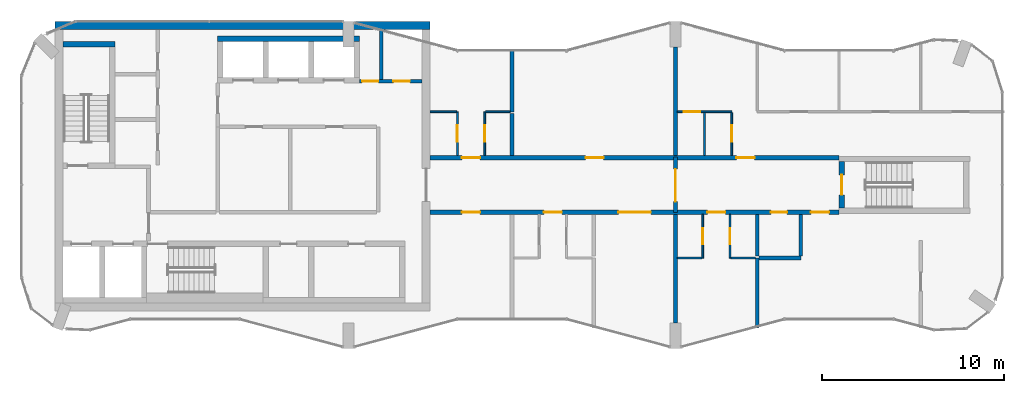
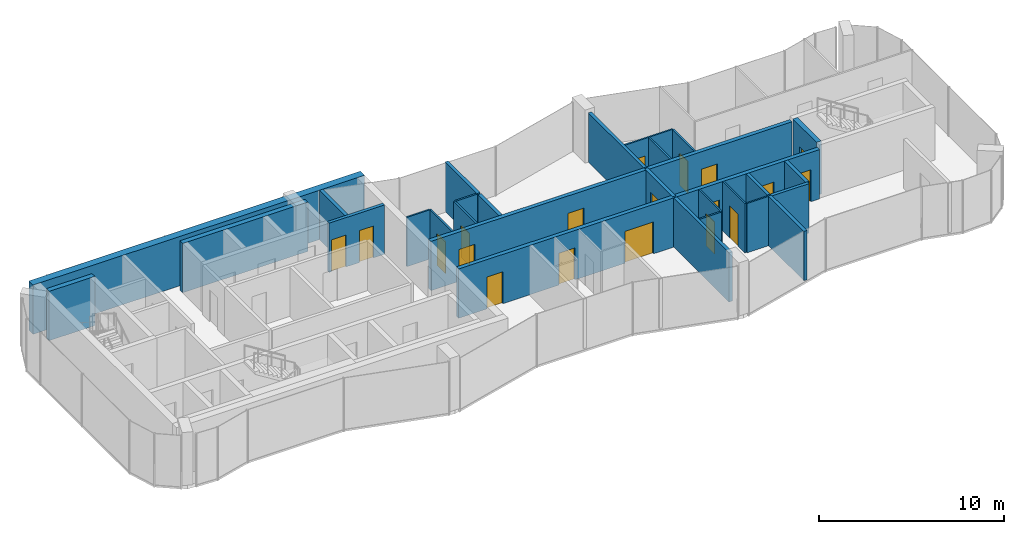
# One storey, part 8 of 10: 28 walls, 19 doors, 19 openings.
"""IFC4 building model written with IfcOpenShell, lengths in metres."""

from ifc_helpers import new_model, si_unit, direction, frame, frame_2d, origin, place, context, subcontext, project, spatial, rectangle, extrude, material, layer, layer_set, type_object, element, fill, save


model = new_model("IFC4")

# Units and contexts
model_context = context("Model", 3, precision=1e-05, world=origin(), true_north=direction((0.0, 1.0)))
body_context = subcontext(model_context, "Body", "Model", "MODEL_VIEW")
ifc_project = project(units=[si_unit("LENGTHUNIT", "METRE"), si_unit("AREAUNIT", "SQUARE_METRE"), si_unit("VOLUMEUNIT", "CUBIC_METRE"), si_unit("PLANEANGLEUNIT", "RADIAN"), si_unit("MASSUNIT", "GRAM", prefix="KILO")], contexts=[model_context])

# Site, building, storey
site_placement = place(None, origin())
site = spatial("IfcSite", under=ifc_project, at=site_placement, CompositionType="ELEMENT")
building_placement = place(site_placement, origin())
building = spatial("IfcBuilding", under=site, at=building_placement, Name="Plateau Cross Towers", CompositionType="ELEMENT")
storey_placement = place(building_placement, frame((0.0, 0.0, 263.39990234375)))
storey = spatial("IfcBuildingStorey", under=building, at=storey_placement, Name="L69", CompositionType="ELEMENT", Elevation=263.39990234375)

# Wall, openings, doors
ifc_material_1 = material(Name="Concrete block, plastered both sides", Category="concrete")
ifc_layer_1 = layer(ifc_material_1, 0.199951171875)
ifc_layer_set_1 = layer_set([ifc_layer_1], Name="Concrete block, plastered both sides")
wall_type_1 = type_object("IfcWallType", Name="Core partition 200", PredefinedType="PARTITIONING", material=ifc_layer_set_1)
wall_1_placement = place(storey_placement, frame((18.60009765625, 14.699951171875, 0.0), z_axis=(0.0, 0.0, 1.0), x_axis=(1.0, 0.0, 0.0)))
wall_1 = element("IfcWall", 1, at=wall_1_placement, inside=storey, type_object=wall_type_1, Name="Core partition", PredefinedType="PARTITIONING", context=body_context, shape_type="SweptSolid", body=[
    extrude(rectangle(XDim=3.449951171875, YDim=0.199951171875, at=frame_2d((1.72509765625, 0.0))), origin(), (0.0, 0.0, 1.0), 3.25),
])
opening_1_placement = place(wall_1_placement, frame((0.14990234375, 0.0, 0.0)))
opening_1 = element("IfcOpeningElement", 2, at=opening_1_placement, cuts=wall_1, Name="Opening RD2", PredefinedType="OPENING", context=body_context, shape_type="SweptSolid", body=[
    extrude(rectangle(XDim=0.89990234375, YDim=2.10009765625, at=frame_2d((0.449951171875, 1.050048828125))), frame((0.0, 0.10986328125, 0.0), z_axis=(0.0, -1.0, 0.0), x_axis=(1.0, 0.0, 0.0)), (0.0, 0.0, 1.0), 0.219970703125),
])
opening_2_placement = place(wall_1_placement, frame((1.875, 0.0, 0.0)))
opening_2 = element("IfcOpeningElement", 3, at=opening_2_placement, cuts=wall_1, Name="Opening RD2", PredefinedType="OPENING", context=body_context, shape_type="SweptSolid", body=[
    extrude(rectangle(XDim=0.89990234375, YDim=2.10009765625, at=frame_2d((0.449951171875, 1.050048828125))), frame((0.0, 0.10986328125, 0.0), z_axis=(0.0, -1.0, 0.0), x_axis=(1.0, 0.0, 0.0)), (0.0, 0.0, 1.0), 0.219970703125),
])
ifc_material_2 = material(Name="Steel, fire-resisting leaf", Category="steel")
door_type_1 = type_object("IfcDoorType", Name="Core riser door 900", OperationType="NOTDEFINED", PredefinedType="DOOR", material=ifc_material_2)
door_1_placement = place(opening_1_placement, origin())
door_1 = element("IfcDoor", 4, at=door_1_placement, inside=storey, type_object=door_type_1, Name="Core riser door RD2", OperationType="SINGLE_SWING_LEFT", OverallHeight=2.10009765625, OverallWidth=0.89990234375, PredefinedType="DOOR", context=body_context, shape_type="SweptSolid", body=[
    extrude(rectangle(XDim=0.89990234375, YDim=2.10009765625, at=frame_2d((0.449951171875, 1.050048828125))), frame((0.0, 0.02490234375, 0.0), z_axis=(0.0, -1.0, 0.0), x_axis=(1.0, 0.0, 0.0)), (0.0, 0.0, 1.0), 0.050048828125),
])
fill(opening_1, door_1)
door_2_placement = place(opening_2_placement, origin())
door_2 = element("IfcDoor", 5, at=door_2_placement, inside=storey, type_object=door_type_1, Name="Core riser door RD2", OperationType="SINGLE_SWING_LEFT", OverallHeight=2.10009765625, OverallWidth=0.89990234375, PredefinedType="DOOR", context=body_context, shape_type="SweptSolid", body=[
    extrude(rectangle(XDim=0.89990234375, YDim=2.10009765625, at=frame_2d((0.449951171875, 1.050048828125))), frame((0.0, 0.02490234375, 0.0), z_axis=(0.0, -1.0, 0.0), x_axis=(1.0, 0.0, 0.0)), (0.0, 0.0, 1.0), 0.050048828125),
])
fill(opening_2, door_2)

# Walls
wall_2_placement = place(storey_placement, frame((19.800048828125, 14.800048828125, 0.0), z_axis=(0.0, 0.0, 1.0), x_axis=(0.0, 1.0, 0.0)))
element("IfcWall", 6, at=wall_2_placement, inside=storey, type_object=wall_type_1, Name="Core partition", PredefinedType="PARTITIONING", context=body_context, shape_type="SweptSolid", body=[
    extrude(rectangle(XDim=2.75, YDim=0.199951171875, at=frame_2d((1.375, 0.0))), origin(), (0.0, 0.0, 1.0), 3.25),
])
ifc_material_3 = material(Name="Concrete C60/75", Category="concrete")
ifc_layer_2 = layer(ifc_material_3, 0.300048828125)
ifc_layer_set_2 = layer_set([ifc_layer_2], Name="Concrete C60/75")
wall_type_2 = type_object("IfcWallType", Name="Core shaft wall 300", PredefinedType="SHEAR", material=ifc_layer_set_2)
wall_3_placement = place(storey_placement, frame((2.300048828125, 16.75, 0.0), z_axis=(0.0, 0.0, 1.0), x_axis=(1.0, 0.0, 0.0)))
element("IfcWall", 7, at=wall_3_placement, inside=storey, type_object=wall_type_2, Name="A-st1-N@L69", PredefinedType="SHEAR", context=body_context, shape_type="SweptSolid", body=[
    extrude(rectangle(XDim=2.849853515625, YDim=0.300048828125, at=frame_2d((1.4248046875, 0.0))), origin(), (0.0, 0.0, 1.0), 3.25),
])
wall_4_placement = place(storey_placement, frame((10.800048828125, 17.050048828125, 0.0), z_axis=(0.0, 0.0, 1.0), x_axis=(1.0, 0.0, 0.0)))
element("IfcWall", 8, at=wall_4_placement, inside=storey, type_object=wall_type_2, Name="A-nb-back@L69", PredefinedType="SHEAR", context=body_context, shape_type="SweptSolid", body=[
    extrude(rectangle(XDim=7.800048828125, YDim=0.300048828125, at=frame_2d((3.89990234375, 0.0))), origin(), (0.0, 0.0, 1.0), 3.25),
])
ifc_layer_3 = layer(ifc_material_3, 0.449951171875)
ifc_layer_set_3 = layer_set([ifc_layer_3], Name="Concrete C60/75")
wall_type_3 = type_object("IfcWallType", Name="Core shell wall 450", PredefinedType="SHEAR", material=ifc_layer_set_3)
wall_5_placement = place(storey_placement, frame((1.85009765625, 17.77490234375, 0.0), z_axis=(0.0, 0.0, 1.0), x_axis=(1.0, 0.0, 0.0)))
element("IfcWall", 9, at=wall_5_placement, inside=storey, type_object=wall_type_3, Name="A-core-N@L69", PredefinedType="SHEAR", context=body_context, shape_type="SweptSolid", body=[
    extrude(rectangle(XDim=20.64990234375, YDim=0.449951171875, at=frame_2d((10.324951171875, 0.0))), origin(), (0.0, 0.0, 1.0), 3.25),
])

# Wall, openings, doors
ifc_layer_4 = layer(ifc_material_3, 0.25)
ifc_layer_set_4 = layer_set([ifc_layer_4], Name="Concrete C60/75")
wall_type_4 = type_object("IfcWallType", Name="Corridor wall 250", PredefinedType="SHEAR", material=ifc_layer_set_4)
wall_6_placement = place(storey_placement, frame((22.5, 7.5, 0.0), z_axis=(0.0, 0.0, 1.0), x_axis=(1.0, 0.0, 0.0)))
wall_6 = element("IfcWall", 10, at=wall_6_placement, inside=storey, type_object=wall_type_4, Name="A-cw-S1@L69", PredefinedType="SHEAR", context=body_context, shape_type="SweptSolid", body=[
    extrude(rectangle(XDim=22.5, YDim=0.25, at=frame_2d((11.25, 0.0))), origin(), (0.0, 0.0, 1.0), 3.25),
])
opening_3_placement = place(wall_6_placement, frame((1.75, 0.0, 0.0)))
opening_3 = element("IfcOpeningElement", 11, at=opening_3_placement, cuts=wall_6, Name="Opening 69-01", PredefinedType="OPENING", context=body_context, shape_type="SweptSolid", body=[
    extrude(rectangle(XDim=1.0, YDim=2.10009765625, at=frame_2d((0.5, 1.050048828125))), frame((0.0, 0.135009765625, 0.0), z_axis=(0.0, -1.0, 0.0), x_axis=(1.0, 0.0, 0.0)), (0.0, 0.0, 1.0), 0.27001953125),
])
opening_4_placement = place(wall_6_placement, frame((6.25, 0.0, 0.0)))
opening_4 = element("IfcOpeningElement", 12, at=opening_4_placement, cuts=wall_6, Name="Opening 69-02", PredefinedType="OPENING", context=body_context, shape_type="SweptSolid", body=[
    extrude(rectangle(XDim=1.0, YDim=2.10009765625, at=frame_2d((0.5, 1.050048828125))), frame((0.0, 0.135009765625, 0.0), z_axis=(0.0, -1.0, 0.0), x_axis=(1.0, 0.0, 0.0)), (0.0, 0.0, 1.0), 0.27001953125),
])
opening_5_placement = place(wall_6_placement, frame((10.35009765625, 0.0, 0.0)))
opening_5 = element("IfcOpeningElement", 13, at=opening_5_placement, cuts=wall_6, Name="Opening 69-03", PredefinedType="OPENING", context=body_context, shape_type="SweptSolid", body=[
    extrude(rectangle(XDim=1.800048828125, YDim=2.10009765625, at=frame_2d((0.89990234375, 1.050048828125))), frame((0.0, 0.135009765625, 0.0), z_axis=(0.0, -1.0, 0.0), x_axis=(1.0, 0.0, 0.0)), (0.0, 0.0, 1.0), 0.27001953125),
])
opening_6_placement = place(wall_6_placement, frame((15.25, 0.0, 0.0)))
opening_6 = element("IfcOpeningElement", 14, at=opening_6_placement, cuts=wall_6, Name="Opening 69-04", PredefinedType="OPENING", context=body_context, shape_type="SweptSolid", body=[
    extrude(rectangle(XDim=1.0, YDim=2.10009765625, at=frame_2d((0.5, 1.050048828125))), frame((0.0, 0.135009765625, 0.0), z_axis=(0.0, -1.0, 0.0), x_axis=(1.0, 0.0, 0.0)), (0.0, 0.0, 1.0), 0.27001953125),
])
opening_7_placement = place(wall_6_placement, frame((18.75, 0.0, 0.0)))
opening_7 = element("IfcOpeningElement", 15, at=opening_7_placement, cuts=wall_6, Name="Opening 69-05", PredefinedType="OPENING", context=body_context, shape_type="SweptSolid", body=[
    extrude(rectangle(XDim=0.89990234375, YDim=2.10009765625, at=frame_2d((0.449951171875, 1.050048828125))), frame((0.0, 0.135009765625, 0.0), z_axis=(0.0, -1.0, 0.0), x_axis=(1.0, 0.0, 0.0)), (0.0, 0.0, 1.0), 0.27001953125),
])
opening_8_placement = place(wall_6_placement, frame((20.949951171875, 0.0, 0.0)))
opening_8 = element("IfcOpeningElement", 16, at=opening_8_placement, cuts=wall_6, Name="Opening 69-06", PredefinedType="OPENING", context=body_context, shape_type="SweptSolid", body=[
    extrude(rectangle(XDim=1.0, YDim=2.10009765625, at=frame_2d((0.5, 1.050048828125))), frame((0.0, 0.135009765625, 0.0), z_axis=(0.0, -1.0, 0.0), x_axis=(1.0, 0.0, 0.0)), (0.0, 0.0, 1.0), 0.27001953125),
])
ifc_material_4 = material(Name="Timber, fire-resisting leaf", Category="wood")
door_type_2 = type_object("IfcDoorType", Name="Flat entrance door 1000", OperationType="NOTDEFINED", PredefinedType="DOOR", material=ifc_material_4)
door_3_placement = place(opening_3_placement, origin())
door_3 = element("IfcDoor", 17, at=door_3_placement, inside=storey, type_object=door_type_2, Name="Door 69-01", OperationType="SINGLE_SWING_LEFT", OverallHeight=2.10009765625, OverallWidth=1.0, PredefinedType="DOOR", context=body_context, shape_type="SweptSolid", body=[
    extrude(rectangle(XDim=1.0, YDim=2.10009765625, at=frame_2d((0.5, 1.050048828125))), frame((0.0, 0.02490234375, 0.0), z_axis=(0.0, -1.0, 0.0), x_axis=(1.0, 0.0, 0.0)), (0.0, 0.0, 1.0), 0.050048828125),
])
fill(opening_3, door_3)
door_4_placement = place(opening_4_placement, origin())
door_4 = element("IfcDoor", 18, at=door_4_placement, inside=storey, type_object=door_type_2, Name="Door 69-02", OperationType="SINGLE_SWING_LEFT", OverallHeight=2.10009765625, OverallWidth=1.0, PredefinedType="DOOR", context=body_context, shape_type="SweptSolid", body=[
    extrude(rectangle(XDim=1.0, YDim=2.10009765625, at=frame_2d((0.5, 1.050048828125))), frame((0.0, 0.02490234375, 0.0), z_axis=(0.0, -1.0, 0.0), x_axis=(1.0, 0.0, 0.0)), (0.0, 0.0, 1.0), 0.050048828125),
])
fill(opening_4, door_4)
door_5_placement = place(opening_6_placement, origin())
door_5 = element("IfcDoor", 19, at=door_5_placement, inside=storey, type_object=door_type_2, Name="Door 69-04", OperationType="SINGLE_SWING_RIGHT", OverallHeight=2.10009765625, OverallWidth=1.0, PredefinedType="DOOR", context=body_context, shape_type="SweptSolid", body=[
    extrude(rectangle(XDim=1.0, YDim=2.10009765625, at=frame_2d((0.5, 1.050048828125))), frame((0.0, 0.02490234375, 0.0), z_axis=(0.0, -1.0, 0.0), x_axis=(1.0, 0.0, 0.0)), (0.0, 0.0, 1.0), 0.050048828125),
])
fill(opening_6, door_5)
door_6_placement = place(opening_8_placement, origin())
door_6 = element("IfcDoor", 20, at=door_6_placement, inside=storey, type_object=door_type_2, Name="Door 69-06", OperationType="SINGLE_SWING_RIGHT", OverallHeight=2.10009765625, OverallWidth=1.0, PredefinedType="DOOR", context=body_context, shape_type="SweptSolid", body=[
    extrude(rectangle(XDim=1.0, YDim=2.10009765625, at=frame_2d((0.5, 1.050048828125))), frame((0.0, 0.02490234375, 0.0), z_axis=(0.0, -1.0, 0.0), x_axis=(1.0, 0.0, 0.0)), (0.0, 0.0, 1.0), 0.050048828125),
])
fill(opening_8, door_6)
ifc_material_5 = material(Name="Timber, fire-resisting leaves", Category="wood")
door_type_3 = type_object("IfcDoorType", Name="Flat floor fire door pair 1800", OperationType="NOTDEFINED", PredefinedType="DOOR", material=ifc_material_5)
door_7_placement = place(opening_5_placement, origin())
door_7 = element("IfcDoor", 21, at=door_7_placement, inside=storey, type_object=door_type_3, Name="Door 69-03", OperationType="SINGLE_SWING_LEFT", OverallHeight=2.10009765625, OverallWidth=1.800048828125, PredefinedType="DOOR", context=body_context, shape_type="SweptSolid", body=[
    extrude(rectangle(XDim=1.800048828125, YDim=2.10009765625, at=frame_2d((0.89990234375, 1.050048828125))), frame((0.0, 0.02490234375, 0.0), z_axis=(0.0, -1.0, 0.0), x_axis=(1.0, 0.0, 0.0)), (0.0, 0.0, 1.0), 0.050048828125),
])
fill(opening_5, door_7)
door_type_4 = type_object("IfcDoorType", Name="Flat floor service door 900", OperationType="NOTDEFINED", PredefinedType="DOOR", material=ifc_material_4)
door_8_placement = place(opening_7_placement, origin())
door_8 = element("IfcDoor", 22, at=door_8_placement, inside=storey, type_object=door_type_4, Name="Door 69-05", OperationType="SINGLE_SWING_RIGHT", OverallHeight=2.10009765625, OverallWidth=0.89990234375, PredefinedType="DOOR", context=body_context, shape_type="SweptSolid", body=[
    extrude(rectangle(XDim=0.89990234375, YDim=2.10009765625, at=frame_2d((0.449951171875, 1.050048828125))), frame((0.0, 0.02490234375, 0.0), z_axis=(0.0, -1.0, 0.0), x_axis=(1.0, 0.0, 0.0)), (0.0, 0.0, 1.0), 0.050048828125),
])
fill(opening_7, door_8)

wall_7_placement = place(storey_placement, frame((22.5, 10.5, 0.0), z_axis=(0.0, 0.0, 1.0), x_axis=(1.0, 0.0, 0.0)))
wall_7 = element("IfcWall", 23, at=wall_7_placement, inside=storey, type_object=wall_type_4, Name="A-cw-S2@L69", PredefinedType="SHEAR", context=body_context, shape_type="SweptSolid", body=[
    extrude(rectangle(XDim=22.5, YDim=0.25, at=frame_2d((11.25, 0.0))), origin(), (0.0, 0.0, 1.0), 3.25),
])
opening_9_placement = place(wall_7_placement, frame((1.75, 0.0, 0.0)))
opening_9 = element("IfcOpeningElement", 24, at=opening_9_placement, cuts=wall_7, Name="Opening 69-07", PredefinedType="OPENING", context=body_context, shape_type="SweptSolid", body=[
    extrude(rectangle(XDim=1.0, YDim=2.10009765625, at=frame_2d((0.5, 1.050048828125))), frame((0.0, 0.135009765625, 0.0), z_axis=(0.0, -1.0, 0.0), x_axis=(1.0, 0.0, 0.0)), (0.0, 0.0, 1.0), 0.27001953125),
])
opening_10_placement = place(wall_7_placement, frame((8.550048828125, 0.0, 0.0)))
opening_10 = element("IfcOpeningElement", 25, at=opening_10_placement, cuts=wall_7, Name="Opening 69-08", PredefinedType="OPENING", context=body_context, shape_type="SweptSolid", body=[
    extrude(rectangle(XDim=1.0, YDim=2.10009765625, at=frame_2d((0.5, 1.050048828125))), frame((0.0, 0.135009765625, 0.0), z_axis=(0.0, -1.0, 0.0), x_axis=(1.0, 0.0, 0.0)), (0.0, 0.0, 1.0), 0.27001953125),
])
opening_11_placement = place(wall_7_placement, frame((16.85009765625, 0.0, 0.0)))
opening_11 = element("IfcOpeningElement", 26, at=opening_11_placement, cuts=wall_7, Name="Opening 69-09", PredefinedType="OPENING", context=body_context, shape_type="SweptSolid", body=[
    extrude(rectangle(XDim=1.0, YDim=2.10009765625, at=frame_2d((0.5, 1.050048828125))), frame((0.0, 0.135009765625, 0.0), z_axis=(0.0, -1.0, 0.0), x_axis=(1.0, 0.0, 0.0)), (0.0, 0.0, 1.0), 0.27001953125),
])
door_9_placement = place(opening_9_placement, origin())
door_9 = element("IfcDoor", 27, at=door_9_placement, inside=storey, type_object=door_type_2, Name="Door 69-07", OperationType="SINGLE_SWING_LEFT", OverallHeight=2.10009765625, OverallWidth=1.0, PredefinedType="DOOR", context=body_context, shape_type="SweptSolid", body=[
    extrude(rectangle(XDim=1.0, YDim=2.10009765625, at=frame_2d((0.5, 1.050048828125))), frame((0.0, 0.02490234375, 0.0), z_axis=(0.0, -1.0, 0.0), x_axis=(1.0, 0.0, 0.0)), (0.0, 0.0, 1.0), 0.050048828125),
])
fill(opening_9, door_9)
door_10_placement = place(opening_10_placement, origin())
door_10 = element("IfcDoor", 28, at=door_10_placement, inside=storey, type_object=door_type_2, Name="Door 69-08", OperationType="SINGLE_SWING_LEFT", OverallHeight=2.10009765625, OverallWidth=1.0, PredefinedType="DOOR", context=body_context, shape_type="SweptSolid", body=[
    extrude(rectangle(XDim=1.0, YDim=2.10009765625, at=frame_2d((0.5, 1.050048828125))), frame((0.0, 0.02490234375, 0.0), z_axis=(0.0, -1.0, 0.0), x_axis=(1.0, 0.0, 0.0)), (0.0, 0.0, 1.0), 0.050048828125),
])
fill(opening_10, door_10)
door_11_placement = place(opening_11_placement, origin())
door_11 = element("IfcDoor", 29, at=door_11_placement, inside=storey, type_object=door_type_2, Name="Door 69-09", OperationType="SINGLE_SWING_RIGHT", OverallHeight=2.10009765625, OverallWidth=1.0, PredefinedType="DOOR", context=body_context, shape_type="SweptSolid", body=[
    extrude(rectangle(XDim=1.0, YDim=2.10009765625, at=frame_2d((0.5, 1.050048828125))), frame((0.0, 0.02490234375, 0.0), z_axis=(0.0, -1.0, 0.0), x_axis=(1.0, 0.0, 0.0)), (0.0, 0.0, 1.0), 0.050048828125),
])
fill(opening_11, door_11)

# Walls
ifc_material_6 = material(Name="Gypsum board on steel studs", Category="steel")
ifc_layer_5 = layer(ifc_material_6, 0.10009765625)
ifc_layer_set_5 = layer_set([ifc_layer_5], Name="Gypsum board on steel studs")
wall_type_5 = type_object("IfcWallType", Name="Flat partition 100", PredefinedType="PARTITIONING", material=ifc_layer_set_5)
for number, where, z_axis, x_axis, name in (
    (30, (36.10009765625, 4.97509765625, 0.0), (0.0, 0.0, 1.0), (1.0, 0.0, 0.0), "Partition wall"),
    (31, (39.050048828125, 4.97509765625, 0.0), (0.0, 0.0, 1.0), (1.0, 0.0, 0.0), "Partition wall"),
):
    element("IfcWall", number, at=place(storey_placement, frame(where, z_axis=z_axis, x_axis=x_axis)), inside=storey, type_object=wall_type_5, Name=name, PredefinedType="PARTITIONING", context=body_context, shape_type="SweptSolid", body=[
        extrude(rectangle(XDim=1.349853515625, YDim=0.10009765625, at=frame_2d((0.6748046875, 0.0))), origin(), (0.0, 0.0, 1.0), 3.25),
    ])
wall_8_placement = place(storey_placement, frame((23.949951171875, 13.02490234375, 0.0), z_axis=(0.0, 0.0, 1.0), x_axis=(-1.0, 0.0, 0.0)))
element("IfcWall", 32, at=wall_8_placement, inside=storey, type_object=wall_type_5, Name="Partition wall", PredefinedType="PARTITIONING", context=body_context, shape_type="SweptSolid", body=[
    extrude(rectangle(XDim=1.449951171875, YDim=0.10009765625, at=frame_2d((0.72509765625, 0.0))), origin(), (0.0, 0.0, 1.0), 3.25),
])
wall_9_placement = place(storey_placement, frame((26.89990234375, 13.02490234375, 0.0), z_axis=(0.0, 0.0, 1.0), x_axis=(-1.0, 0.0, 0.0)))
element("IfcWall", 33, at=wall_9_placement, inside=storey, type_object=wall_type_5, Name="Partition wall", PredefinedType="PARTITIONING", context=body_context, shape_type="SweptSolid", body=[
    extrude(rectangle(XDim=1.349853515625, YDim=0.10009765625, at=frame_2d((0.6748046875, 0.0))), origin(), (0.0, 0.0, 1.0), 3.25),
])

# Wall, opening, door
wall_10_placement = place(storey_placement, frame((39.10009765625, 13.02490234375, 0.0), z_axis=(0.0, 0.0, 1.0), x_axis=(-1.0, 0.0, 0.0)))
wall_10 = element("IfcWall", 34, at=wall_10_placement, inside=storey, type_object=wall_type_5, Name="Partition wall", PredefinedType="PARTITIONING", context=body_context, shape_type="SweptSolid", body=[
    extrude(rectangle(XDim=3.0, YDim=0.10009765625, at=frame_2d((1.5, 0.0))), origin(), (0.0, 0.0, 1.0), 3.25),
])
opening_12_placement = place(wall_10_placement, frame((1.75, 0.0, 0.0)))
opening_12 = element("IfcOpeningElement", 35, at=opening_12_placement, cuts=wall_10, Name="Opening 69-18", PredefinedType="OPENING", context=body_context, shape_type="SweptSolid", body=[
    extrude(rectangle(XDim=0.89990234375, YDim=2.10009765625, at=frame_2d((0.449951171875, 1.050048828125))), frame((0.0, 0.06005859375, 0.0), z_axis=(0.0, -1.0, 0.0), x_axis=(1.0, 0.0, 0.0)), (0.0, 0.0, 1.0), 0.1201171875),
])
ifc_material_7 = material(Name="Timber leaf", Category="wood")
door_type_5 = type_object("IfcDoorType", Name="Flat room door 900", OperationType="NOTDEFINED", PredefinedType="DOOR", material=ifc_material_7)
door_12_placement = place(opening_12_placement, origin())
door_12 = element("IfcDoor", 36, at=door_12_placement, inside=storey, type_object=door_type_5, Name="Door 69-18", OperationType="SINGLE_SWING_RIGHT", OverallHeight=2.10009765625, OverallWidth=0.89990234375, PredefinedType="DOOR", context=body_context, shape_type="SweptSolid", body=[
    extrude(rectangle(XDim=0.89990234375, YDim=2.10009765625, at=frame_2d((0.449951171875, 1.050048828125))), frame((0.0, 0.02490234375, 0.0), z_axis=(0.0, -1.0, 0.0), x_axis=(1.0, 0.0, 0.0)), (0.0, 0.0, 1.0), 0.050048828125),
])
fill(opening_12, door_12)

wall_11_placement = place(storey_placement, frame((24.0, 10.625, 0.0), z_axis=(0.0, 0.0, 1.0), x_axis=(0.0, 1.0, 0.0)))
wall_11 = element("IfcWall", 37, at=wall_11_placement, inside=storey, type_object=wall_type_5, Name="Partition wall", PredefinedType="PARTITIONING", context=body_context, shape_type="SweptSolid", body=[
    extrude(rectangle(XDim=2.39990234375, YDim=0.10009765625, at=frame_2d((1.199951171875, 0.0))), origin(), (0.0, 0.0, 1.0), 3.25),
])
opening_13_placement = place(wall_11_placement, frame((0.75, 0.0, 0.0)))
opening_13 = element("IfcOpeningElement", 38, at=opening_13_placement, cuts=wall_11, Name="Opening 69-16", PredefinedType="OPENING", context=body_context, shape_type="SweptSolid", body=[
    extrude(rectangle(XDim=0.89990234375, YDim=2.10009765625, at=frame_2d((0.449951171875, 1.050048828125))), frame((0.0, 0.06005859375, 0.0), z_axis=(0.0, -1.0, 0.0), x_axis=(1.0, 0.0, 0.0)), (0.0, 0.0, 1.0), 0.1201171875),
])
door_13_placement = place(opening_13_placement, origin())
door_13 = element("IfcDoor", 39, at=door_13_placement, inside=storey, type_object=door_type_5, Name="Door 69-16", OperationType="SINGLE_SWING_LEFT", OverallHeight=2.10009765625, OverallWidth=0.89990234375, PredefinedType="DOOR", context=body_context, shape_type="SweptSolid", body=[
    extrude(rectangle(XDim=0.89990234375, YDim=2.10009765625, at=frame_2d((0.449951171875, 1.050048828125))), frame((0.0, 0.02490234375, 0.0), z_axis=(0.0, -1.0, 0.0), x_axis=(1.0, 0.0, 0.0)), (0.0, 0.0, 1.0), 0.050048828125),
])
fill(opening_13, door_13)

wall_12_placement = place(storey_placement, frame((25.5, 13.02490234375, 0.0), z_axis=(0.0, 0.0, 1.0), x_axis=(0.0, -1.0, 0.0)))
wall_12 = element("IfcWall", 40, at=wall_12_placement, inside=storey, type_object=wall_type_5, Name="Partition wall", PredefinedType="PARTITIONING", context=body_context, shape_type="SweptSolid", body=[
    extrude(rectangle(XDim=2.39990234375, YDim=0.10009765625, at=frame_2d((1.199951171875, 0.0))), origin(), (0.0, 0.0, 1.0), 3.25),
])
opening_14_placement = place(wall_12_placement, frame((0.75, 0.0, 0.0)))
opening_14 = element("IfcOpeningElement", 41, at=opening_14_placement, cuts=wall_12, Name="Opening 69-17", PredefinedType="OPENING", context=body_context, shape_type="SweptSolid", body=[
    extrude(rectangle(XDim=0.89990234375, YDim=2.10009765625, at=frame_2d((0.449951171875, 1.050048828125))), frame((0.0, 0.06005859375, 0.0), z_axis=(0.0, -1.0, 0.0), x_axis=(1.0, 0.0, 0.0)), (0.0, 0.0, 1.0), 0.1201171875),
])
door_14_placement = place(opening_14_placement, origin())
door_14 = element("IfcDoor", 42, at=door_14_placement, inside=storey, type_object=door_type_5, Name="Door 69-17", OperationType="SINGLE_SWING_LEFT", OverallHeight=2.10009765625, OverallWidth=0.89990234375, PredefinedType="DOOR", context=body_context, shape_type="SweptSolid", body=[
    extrude(rectangle(XDim=0.89990234375, YDim=2.10009765625, at=frame_2d((0.449951171875, 1.050048828125))), frame((0.0, 0.02490234375, 0.0), z_axis=(0.0, -1.0, 0.0), x_axis=(1.0, 0.0, 0.0)), (0.0, 0.0, 1.0), 0.050048828125),
])
fill(opening_14, door_14)

wall_13_placement = place(storey_placement, frame((37.5, 4.97509765625, 0.0), z_axis=(0.0, 0.0, 1.0), x_axis=(0.0, 1.0, 0.0)))
wall_13 = element("IfcWall", 43, at=wall_13_placement, inside=storey, type_object=wall_type_5, Name="Partition wall", PredefinedType="PARTITIONING", context=body_context, shape_type="SweptSolid", body=[
    extrude(rectangle(XDim=2.39990234375, YDim=0.10009765625, at=frame_2d((1.199951171875, 0.0))), origin(), (0.0, 0.0, 1.0), 3.25),
])
opening_15_placement = place(wall_13_placement, frame((0.75, 0.0, 0.0)))
opening_15 = element("IfcOpeningElement", 44, at=opening_15_placement, cuts=wall_13, Name="Opening 69-14", PredefinedType="OPENING", context=body_context, shape_type="SweptSolid", body=[
    extrude(rectangle(XDim=0.89990234375, YDim=2.10009765625, at=frame_2d((0.449951171875, 1.050048828125))), frame((0.0, 0.06005859375, 0.0), z_axis=(0.0, -1.0, 0.0), x_axis=(1.0, 0.0, 0.0)), (0.0, 0.0, 1.0), 0.1201171875),
])
door_15_placement = place(opening_15_placement, origin())
door_15 = element("IfcDoor", 45, at=door_15_placement, inside=storey, type_object=door_type_5, Name="Door 69-14", OperationType="SINGLE_SWING_LEFT", OverallHeight=2.10009765625, OverallWidth=0.89990234375, PredefinedType="DOOR", context=body_context, shape_type="SweptSolid", body=[
    extrude(rectangle(XDim=0.89990234375, YDim=2.10009765625, at=frame_2d((0.449951171875, 1.050048828125))), frame((0.0, 0.02490234375, 0.0), z_axis=(0.0, -1.0, 0.0), x_axis=(1.0, 0.0, 0.0)), (0.0, 0.0, 1.0), 0.050048828125),
])
fill(opening_15, door_15)

# Wall
wall_14_placement = place(storey_placement, frame((37.60009765625, 10.625, 0.0), z_axis=(0.0, 0.0, 1.0), x_axis=(0.0, 1.0, 0.0)))
element("IfcWall", 46, at=wall_14_placement, inside=storey, type_object=wall_type_5, Name="Partition wall", PredefinedType="PARTITIONING", context=body_context, shape_type="SweptSolid", body=[
    extrude(rectangle(XDim=2.35009765625, YDim=0.10009765625, at=frame_2d((1.175048828125, 0.0))), origin(), (0.0, 0.0, 1.0), 3.25),
])

# Wall, opening, door
wall_15_placement = place(storey_placement, frame((39.0, 7.375, 0.0), z_axis=(0.0, 0.0, 1.0), x_axis=(0.0, -1.0, 0.0)))
wall_15 = element("IfcWall", 47, at=wall_15_placement, inside=storey, type_object=wall_type_5, Name="Partition wall", PredefinedType="PARTITIONING", context=body_context, shape_type="SweptSolid", body=[
    extrude(rectangle(XDim=2.39990234375, YDim=0.10009765625, at=frame_2d((1.199951171875, 0.0))), origin(), (0.0, 0.0, 1.0), 3.25),
])
opening_16_placement = place(wall_15_placement, frame((0.75, 0.0, 0.0)))
opening_16 = element("IfcOpeningElement", 48, at=opening_16_placement, cuts=wall_15, Name="Opening 69-15", PredefinedType="OPENING", context=body_context, shape_type="SweptSolid", body=[
    extrude(rectangle(XDim=0.89990234375, YDim=2.10009765625, at=frame_2d((0.449951171875, 1.050048828125))), frame((0.0, 0.06005859375, 0.0), z_axis=(0.0, -1.0, 0.0), x_axis=(1.0, 0.0, 0.0)), (0.0, 0.0, 1.0), 0.1201171875),
])
door_16_placement = place(opening_16_placement, origin())
door_16 = element("IfcDoor", 49, at=door_16_placement, inside=storey, type_object=door_type_5, Name="Door 69-15", OperationType="SINGLE_SWING_LEFT", OverallHeight=2.10009765625, OverallWidth=0.89990234375, PredefinedType="DOOR", context=body_context, shape_type="SweptSolid", body=[
    extrude(rectangle(XDim=0.89990234375, YDim=2.10009765625, at=frame_2d((0.449951171875, 1.050048828125))), frame((0.0, 0.02490234375, 0.0), z_axis=(0.0, -1.0, 0.0), x_axis=(1.0, 0.0, 0.0)), (0.0, 0.0, 1.0), 0.050048828125),
])
fill(opening_16, door_16)

wall_16_placement = place(storey_placement, frame((39.10009765625, 10.625, 0.0), z_axis=(0.0, 0.0, 1.0), x_axis=(0.0, 1.0, 0.0)))
wall_16 = element("IfcWall", 50, at=wall_16_placement, inside=storey, type_object=wall_type_5, Name="Partition wall", PredefinedType="PARTITIONING", context=body_context, shape_type="SweptSolid", body=[
    extrude(rectangle(XDim=2.35009765625, YDim=0.10009765625, at=frame_2d((1.175048828125, 0.0))), origin(), (0.0, 0.0, 1.0), 3.25),
])
opening_17_placement = place(wall_16_placement, frame((0.75, 0.0, 0.0)))
opening_17 = element("IfcOpeningElement", 51, at=opening_17_placement, cuts=wall_16, Name="Opening 69-19", PredefinedType="OPENING", context=body_context, shape_type="SweptSolid", body=[
    extrude(rectangle(XDim=0.89990234375, YDim=2.10009765625, at=frame_2d((0.449951171875, 1.050048828125))), frame((0.0, 0.06005859375, 0.0), z_axis=(0.0, -1.0, 0.0), x_axis=(1.0, 0.0, 0.0)), (0.0, 0.0, 1.0), 0.1201171875),
])
door_17_placement = place(opening_17_placement, origin())
door_17 = element("IfcDoor", 52, at=door_17_placement, inside=storey, type_object=door_type_5, Name="Door 69-19", OperationType="SINGLE_SWING_RIGHT", OverallHeight=2.10009765625, OverallWidth=0.89990234375, PredefinedType="DOOR", context=body_context, shape_type="SweptSolid", body=[
    extrude(rectangle(XDim=0.89990234375, YDim=2.10009765625, at=frame_2d((0.449951171875, 1.050048828125))), frame((0.0, 0.02490234375, 0.0), z_axis=(0.0, -1.0, 0.0), x_axis=(1.0, 0.0, 0.0)), (0.0, 0.0, 1.0), 0.050048828125),
])
fill(opening_17, door_17)

# Walls
ifc_material_8 = material(Name="Gypsum board on steel studs, two layers each side", Category="steel")
ifc_layer_6 = layer(ifc_material_8, 0.199951171875)
ifc_layer_set_6 = layer_set([ifc_layer_6], Name="Gypsum board on steel studs, two layers each side")
wall_type_6 = type_object("IfcWallType", Name="Flat party wall 200", PredefinedType="PARTITIONING", material=ifc_layer_set_6)
wall_17_placement = place(storey_placement, frame((40.60009765625, 4.97509765625, 0.0), z_axis=(0.0, 0.0, 1.0), x_axis=(1.0, 0.0, 0.0)))
element("IfcWall", 53, at=wall_17_placement, inside=storey, type_object=wall_type_6, Name="Party wall", PredefinedType="PARTITIONING", context=body_context, shape_type="SweptSolid", body=[
    extrude(rectangle(XDim=2.2998046875, YDim=0.199951171875, at=frame_2d((1.14990234375, 0.0))), origin(), (0.0, 0.0, 1.0), 3.25),
])
wall_18_placement = place(storey_placement, frame((27.0, 16.47314453125, 0.0), z_axis=(0.0, 0.0, 1.0), x_axis=(0.0, -1.0, 0.0)))
element("IfcWall", 54, at=wall_18_placement, inside=storey, type_object=wall_type_6, Name="Party wall", PredefinedType="PARTITIONING", context=body_context, shape_type="SweptSolid", body=[
    extrude(rectangle(XDim=3.4482421875, YDim=0.199951171875, at=frame_2d((1.72412109375, 0.0))), origin(), (0.0, 0.0, 1.0), 3.25),
])
wall_19_placement = place(storey_placement, frame((27.0, 10.625, 0.0), z_axis=(0.0, 0.0, 1.0), x_axis=(0.0, 1.0, 0.0)))
element("IfcWall", 55, at=wall_19_placement, inside=storey, type_object=wall_type_6, Name="Party wall", PredefinedType="PARTITIONING", context=body_context, shape_type="SweptSolid", body=[
    extrude(rectangle(XDim=2.300048828125, YDim=0.199951171875, at=frame_2d((1.14990234375, 0.0))), origin(), (0.0, 0.0, 1.0), 3.25),
])
for number, where, z_axis, x_axis, name in (
    (56, (36.0, 1.39990234375, 0.0), (0.0, 0.0, 1.0), (0.0, 1.0, 0.0), "Party wall"),
    (57, (36.0, 10.625, 0.0), (0.0, 0.0, 1.0), (0.0, 1.0, 0.0), "Party wall"),
):
    element("IfcWall", number, at=place(storey_placement, frame(where, z_axis=z_axis, x_axis=x_axis)), inside=storey, type_object=wall_type_6, Name=name, PredefinedType="PARTITIONING", context=body_context, shape_type="SweptSolid", body=[
        extrude(rectangle(XDim=5.97509765625, YDim=0.199951171875, at=frame_2d((2.987548828125, 0.0))), origin(), (0.0, 0.0, 1.0), 3.25),
    ])
wall_20_placement = place(storey_placement, frame((40.5, 4.97509765625, 0.0), z_axis=(0.0, 0.0, 1.0), x_axis=(0.0, -1.0, 0.0)))
element("IfcWall", 58, at=wall_20_placement, inside=storey, type_object=wall_type_6, Name="Party wall", PredefinedType="PARTITIONING", context=body_context, shape_type="SweptSolid", body=[
    extrude(rectangle(XDim=3.852783203125, YDim=0.199951171875, at=frame_2d((1.92626953125, 0.0))), origin(), (0.0, 0.0, 1.0), 3.25),
])
for number, where, z_axis, x_axis, name in (
    (59, (40.5, 5.074951171875, 0.0), (0.0, 0.0, 1.0), (0.0, 1.0, 0.0), "Party wall"),
    (60, (42.89990234375, 5.074951171875, 0.0), (0.0, 0.0, 1.0), (0.0, 1.0, 0.0), "Party wall"),
):
    element("IfcWall", number, at=place(storey_placement, frame(where, z_axis=z_axis, x_axis=x_axis)), inside=storey, type_object=wall_type_6, Name=name, PredefinedType="PARTITIONING", context=body_context, shape_type="SweptSolid", body=[
        extrude(rectangle(XDim=2.300048828125, YDim=0.199951171875, at=frame_2d((1.14990234375, 0.0))), origin(), (0.0, 0.0, 1.0), 3.25),
    ])

# Wall, opening, door
wall_21_placement = place(storey_placement, frame((36.0, 7.47509765625, 0.0), z_axis=(0.0, 0.0, 1.0), x_axis=(0.0, 1.0, 0.0)))
wall_21 = element("IfcWall", 61, at=wall_21_placement, inside=storey, type_object=wall_type_6, Name="Party wall", PredefinedType="PARTITIONING", context=body_context, shape_type="SweptSolid", body=[
    extrude(rectangle(XDim=3.0498046875, YDim=0.199951171875, at=frame_2d((1.52490234375, 0.0))), origin(), (0.0, 0.0, 1.0), 3.25),
])
opening_18_placement = place(wall_21_placement, frame((0.60009765625, 0.0, 0.0)))
opening_18 = element("IfcOpeningElement", 62, at=opening_18_placement, cuts=wall_21, Name="Opening 69-10", PredefinedType="OPENING", context=body_context, shape_type="SweptSolid", body=[
    extrude(rectangle(XDim=1.800048828125, YDim=2.10009765625, at=frame_2d((0.89990234375, 1.050048828125))), frame((0.0, 0.10986328125, 0.0), z_axis=(0.0, -1.0, 0.0), x_axis=(1.0, 0.0, 0.0)), (0.0, 0.0, 1.0), 0.219970703125),
])
door_18_placement = place(opening_18_placement, origin())
door_18 = element("IfcDoor", 63, at=door_18_placement, inside=storey, type_object=door_type_3, Name="Door 69-10", OperationType="SINGLE_SWING_LEFT", OverallHeight=2.10009765625, OverallWidth=1.800048828125, PredefinedType="DOOR", context=body_context, shape_type="SweptSolid", body=[
    extrude(rectangle(XDim=1.800048828125, YDim=2.10009765625, at=frame_2d((0.89990234375, 1.050048828125))), frame((0.0, 0.02490234375, 0.0), z_axis=(0.0, -1.0, 0.0), x_axis=(1.0, 0.0, 0.0)), (0.0, 0.0, 1.0), 0.050048828125),
])
fill(opening_18, door_18)

ifc_layer_7 = layer(ifc_material_3, 0.300048828125)
ifc_layer_set_7 = layer_set([ifc_layer_7], Name="Concrete C60/75")
wall_type_7 = type_object("IfcWallType", Name="Stair tower wall 300", PredefinedType="SHEAR", material=ifc_layer_set_7)
wall_22_placement = place(storey_placement, frame((45.14990234375, 7.72509765625, 0.0), z_axis=(0.0, 0.0, 1.0), x_axis=(0.0, 1.0, 0.0)))
wall_22 = element("IfcWall", 64, at=wall_22_placement, inside=storey, type_object=wall_type_7, Name="A-end-E-W@L69", PredefinedType="SHEAR", context=body_context, shape_type="SweptSolid", body=[
    extrude(rectangle(XDim=2.5498046875, YDim=0.300048828125, at=frame_2d((1.27490234375, 0.0))), origin(), (0.0, 0.0, 1.0), 3.5),
])
opening_19_placement = place(wall_22_placement, frame((0.72509765625, 0.0, 0.0)))
opening_19 = element("IfcOpeningElement", 65, at=opening_19_placement, cuts=wall_22, Name="Opening SD", PredefinedType="OPENING", context=body_context, shape_type="SweptSolid", body=[
    extrude(rectangle(XDim=1.10009765625, YDim=2.10009765625, at=frame_2d((0.550048828125, 1.050048828125))), frame((0.0, 0.159912109375, 0.0), z_axis=(0.0, -1.0, 0.0), x_axis=(1.0, 0.0, 0.0)), (0.0, 0.0, 1.0), 0.320068359375),
])
door_type_6 = type_object("IfcDoorType", Name="Stair door 1100", OperationType="NOTDEFINED", PredefinedType="DOOR", material=ifc_material_2)
door_19_placement = place(opening_19_placement, origin())
door_19 = element("IfcDoor", 66, at=door_19_placement, inside=storey, type_object=door_type_6, Name="Stair door SD", OperationType="SINGLE_SWING_LEFT", OverallHeight=2.10009765625, OverallWidth=1.10009765625, PredefinedType="DOOR", context=body_context, shape_type="SweptSolid", body=[
    extrude(rectangle(XDim=1.10009765625, YDim=2.10009765625, at=frame_2d((0.550048828125, 1.050048828125))), frame((0.0, 0.02490234375, 0.0), z_axis=(0.0, -1.0, 0.0), x_axis=(1.0, 0.0, 0.0)), (0.0, 0.0, 1.0), 0.050048828125),
])
fill(opening_19, door_19)

save(model, "model.ifc")
